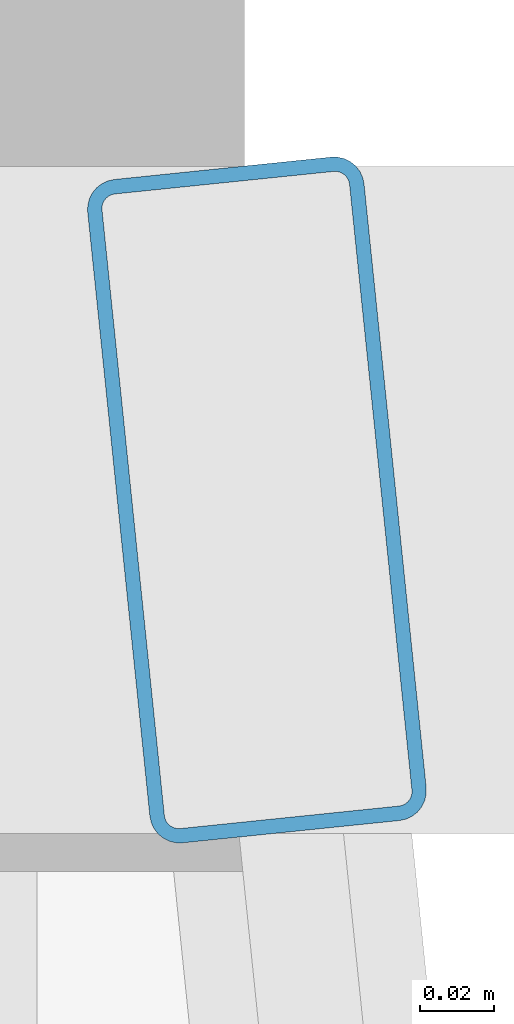
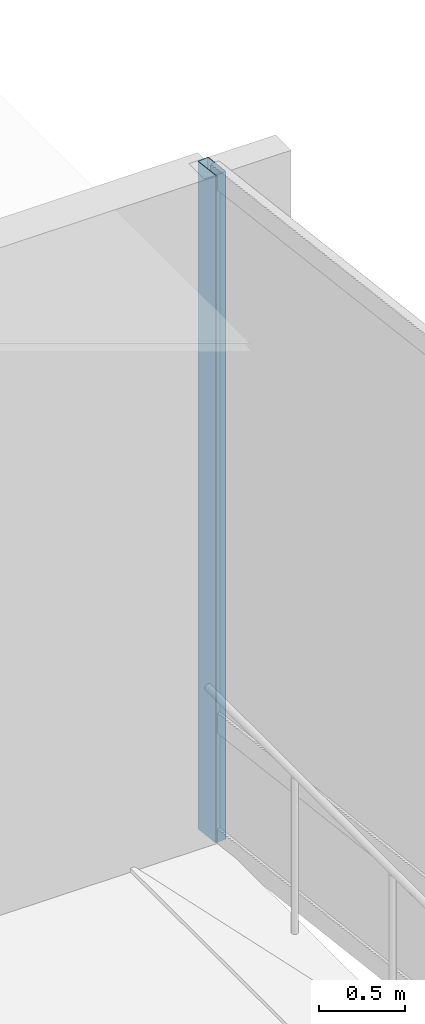
# One storey, part 18 of 39: 1 member, 1 element without a shape of its own.
"""IFC4 building model written with IfcOpenShell, lengths in metres."""

import ifcopenshell
import ifcopenshell.guid

model = None  # the IFC model being written
_history = None  # IfcOwnerHistory: only IFC2X3 demands one
_inside = {}  # id of a spatial element -> (the spatial element, [elements in it])
_under = {}  # id of a project, library or spatial element -> (it, [spatial elements below it])
_declared = {}  # id of a project -> (the project, [libraries it declares])
_typed = {}  # id of a type object -> (the type object, [elements of that type])
_made_of = {}  # id of a material, layer set ... -> (it, [elements and type objects made of it])


def new_model(schema):
    """Start an empty IFC model of exactly this schema.

    Asked for "IFC4X3", IfcOpenShell would pick the latest addendum, in which some entities
    have other attributes; the version numbers below select the first issue.
    IFC2X3 requires an IfcOwnerHistory on every rooted entity: one is made here for all.
    """
    global model, _history
    if schema == "IFC4X3":
        model = ifcopenshell.file(schema_version=(4, 3, 0, 0))
    else:
        model = ifcopenshell.file(schema=schema)
    _inside.clear()
    _under.clear()
    _declared.clear()
    _typed.clear()
    _made_of.clear()
    _history = None
    if model.schema == "IFC2X3":
        org = make("IfcOrganization", Name="unknown")
        user = make(
            "IfcPersonAndOrganization",
            ThePerson=make("IfcPerson", FamilyName="unknown"),
            TheOrganization=org,
        )
        app = make(
            "IfcApplication",
            ApplicationDeveloper=org,
            Version="unknown",
            ApplicationFullName="unknown",
            ApplicationIdentifier="unknown",
        )
        _history = make(
            "IfcOwnerHistory",
            OwningUser=user,
            OwningApplication=app,
            ChangeAction="ADDED",
            CreationDate=0,
        )
    return model


def make(cls, **values):
    """One entity of the class cls with the attributes given. An attribute that is None is left unset."""
    return model.create_entity(
        cls, **{name: value for name, value in values.items() if value is not None}
    )


def rooted(cls, **values):
    """An entity with a GlobalId (a new one), such as an element, a storey or a relation."""
    return make(cls, GlobalId=ifcopenshell.guid.new(), OwnerHistory=_history, **values)


def si_unit(unit_type, name, prefix=None):
    """IfcSIUnit, for example si_unit("LENGTHUNIT", "METRE", prefix="MILLI")."""
    return make("IfcSIUnit", UnitType=unit_type, Prefix=prefix, Name=name)


def assignment(units):
    """IfcUnitAssignment: the units of a project."""
    return None if units is None else make("IfcUnitAssignment", Units=units)


def point(xyz):
    """IfcCartesianPoint."""
    return None if xyz is None else make("IfcCartesianPoint", Coordinates=xyz)


def direction(xyz):
    """IfcDirection."""
    return None if xyz is None else make("IfcDirection", DirectionRatios=xyz)


def frame(location, z_axis=None, x_axis=None):
    """IfcAxis2Placement3D, a coordinate frame: its origin and axes. An axis left out is left unset."""
    return make(
        "IfcAxis2Placement3D",
        Location=point(location),
        Axis=direction(z_axis),
        RefDirection=direction(x_axis),
    )


def frame_2d(location, x_axis=None):
    """IfcAxis2Placement2D, a coordinate frame in the plane: its origin and x axis."""
    return make(
        "IfcAxis2Placement2D", Location=point(location), RefDirection=direction(x_axis)
    )


def origin():
    """The frame at (0, 0, 0) with its axes left unset."""
    return frame((0.0, 0.0, 0.0))


def origin_2d():
    """The frame at (0, 0) in the plane with its x axis left unset."""
    return frame_2d((0.0, 0.0))


def place(relative_to, where):
    """IfcLocalPlacement: puts the frame where relative to a parent placement (None: the world)."""
    return make(
        "IfcLocalPlacement", PlacementRelTo=relative_to, RelativePlacement=where
    )


def context(
    kind, dimensions, precision=None, world=None, true_north=None, identifier=None
):
    """IfcGeometricRepresentationContext, for example the 3D "Model" context."""
    return make(
        "IfcGeometricRepresentationContext",
        ContextIdentifier=identifier,
        ContextType=kind,
        CoordinateSpaceDimension=dimensions,
        Precision=precision,
        WorldCoordinateSystem=world,
        TrueNorth=true_north,
    )


def subcontext(parent, identifier, kind, view, scale=None):
    """IfcGeometricRepresentationSubContext, for example "Body" below "Model"."""
    return make(
        "IfcGeometricRepresentationSubContext",
        ContextIdentifier=identifier,
        ContextType=kind,
        ParentContext=parent,
        TargetScale=scale,
        TargetView=view,
    )


def project(units=None, contexts=None):
    """IfcProject with its units and contexts."""
    return rooted(
        "IfcProject",
        Name="project",
        RepresentationContexts=contexts,
        UnitsInContext=assignment(units),
    )


def spatial(cls, under=None, at=None, **own):
    """A site, building, storey or space (cls), placed at a placement, below another one or the project."""
    s = rooted(cls, ObjectPlacement=at, **own)
    if under is not None:
        _under.setdefault(under.id(), (under, []))[1].append(s)
    return s


def profile(cls, at=None, kind="AREA", **sizes):
    """A parametric profile (cls). Its sizes go by their IFC names, for example OverallWidth=200.0."""
    return make(cls, ProfileType=kind, Position=at, **sizes)


def hollow_rectangle(**sizes):
    """IfcRectangleHollowProfileDef."""
    return profile("IfcRectangleHollowProfileDef", **sizes)


def extrude(swept, where, along, depth):
    """IfcExtrudedAreaSolid: the profile swept, set in the frame where, extruded along a direction by depth."""
    return make(
        "IfcExtrudedAreaSolid",
        SweptArea=swept,
        Position=where,
        ExtrudedDirection=direction(along),
        Depth=depth,
    )


def shape(context_of_items, identifier, shape_type, items):
    """IfcShapeRepresentation: the items that make up one representation, for example the "Body"."""
    return make(
        "IfcShapeRepresentation",
        ContextOfItems=context_of_items,
        RepresentationIdentifier=identifier,
        RepresentationType=shape_type,
        Items=items,
    )


def material(Name=None, Category=None):
    """IfcMaterial."""
    return make("IfcMaterial", Name=Name, Category=Category)


def layer(
    of_material, thickness, ventilated=None, Name=None, Category=None, Priority=None
):
    """IfcMaterialLayer: one layer of a wall or slab, of a material (None: an air gap)."""
    return make(
        "IfcMaterialLayer",
        Material=of_material,
        LayerThickness=thickness,
        IsVentilated=ventilated,
        Name=Name,
        Category=Category,
        Priority=Priority,
    )


def layer_set(layers, Name=None):
    """IfcMaterialLayerSet."""
    return make("IfcMaterialLayerSet", MaterialLayers=layers, LayerSetName=Name)


def material_profile(
    of_material, cross_section, Name=None, Category=None, Priority=None
):
    """IfcMaterialProfile: a cross section and its material."""
    return make(
        "IfcMaterialProfile",
        Name=Name,
        Material=of_material,
        Profile=cross_section,
        Priority=Priority,
        Category=Category,
    )


def profile_set(profiles, Name=None, composite=None):
    """IfcMaterialProfileSet."""
    return make(
        "IfcMaterialProfileSet",
        Name=Name,
        MaterialProfiles=profiles,
        CompositeProfile=composite,
    )


def made_of(thing, what):
    """Note that an element or type object is made of a material, layer set ...; save() writes the relation."""
    if what is not None:
        _made_of.setdefault(what.id(), (what, []))[1].append(thing)
    return thing


def type_object(cls, material=None, **own):
    """A type object (cls), such as IfcWallType, which elements share."""
    return made_of(rooted(cls, **own), material)


def element(
    cls,
    number,
    at=None,
    inside=None,
    cuts=None,
    type_object=None,
    material=None,
    context=None,
    identifier="Body",
    shape_type=None,
    held_by="IfcProductDefinitionShape",
    body=None,
    shapes=None,
    **own,
):
    """One element of the class cls, such as IfcWall. Its Tag is "e" and its number.

    at: its placement. inside: the storey or other place that contains it. cuts: it is an
    opening in that element (IfcRelVoidsElement). A single representation is given by context,
    identifier, shape_type and body (its items); several are given by shapes. held_by: the class
    of the entity that holds the representations. save() writes the other relations.
    """
    e = rooted(cls, Tag="e%d" % number, ObjectPlacement=at, **own)
    if body is not None:
        shapes = [shape(context, identifier, shape_type, body)]
    if shapes is not None:
        e.Representation = make(held_by, Representations=shapes)
    if inside is not None:
        _inside.setdefault(inside.id(), (inside, []))[1].append(e)
    if cuts is not None:
        rooted(
            "IfcRelVoidsElement", RelatingBuildingElement=cuts, RelatedOpeningElement=e
        )
    if type_object is not None:
        _typed.setdefault(type_object.id(), (type_object, []))[1].append(e)
    return made_of(e, material)


def aggregate(whole, parts):
    """IfcRelAggregates: a whole, such as a stair, and the parts it consists of."""
    return rooted("IfcRelAggregates", RelatingObject=whole, RelatedObjects=parts)


def save(model, path):
    """Write the relations noted so far, then the file.

    IfcRelAggregates (storeys below a building ...), IfcRelContainedInSpatialStructure (elements
    in a storey), IfcRelDefinesByType, IfcRelAssociatesMaterial and IfcRelDeclares: one each for
    every whole, place, type object, material and project.
    """
    for whole, parts in _under.values():
        aggregate(whole, parts)
    for where, things in _inside.values():
        rooted(
            "IfcRelContainedInSpatialStructure",
            RelatedElements=things,
            RelatingStructure=where,
        )
    for kind, things in _typed.values():
        rooted("IfcRelDefinesByType", RelatedObjects=things, RelatingType=kind)
    for what, things in _made_of.values():
        rooted("IfcRelAssociatesMaterial", RelatedObjects=things, RelatingMaterial=what)
    for by, libraries in _declared.values():
        rooted("IfcRelDeclares", RelatingContext=by, RelatedDefinitions=libraries)
    model.write(path)


model = new_model("IFC4")

# Units and contexts
model_context = context("Model", 3, precision=1e-05, world=origin(), true_north=direction((0.0, 1.0)))
body_context = subcontext(model_context, "Body", "Model", "MODEL_VIEW")
ifc_project = project(units=[si_unit("LENGTHUNIT", "METRE"), si_unit("AREAUNIT", "SQUARE_METRE"), si_unit("VOLUMEUNIT", "CUBIC_METRE"), si_unit("PLANEANGLEUNIT", "RADIAN"), si_unit("MASSUNIT", "GRAM", prefix="KILO")], contexts=[model_context])

# Site, building, storey
site_placement = place(None, origin())
site = spatial("IfcSite", under=ifc_project, at=site_placement, CompositionType="ELEMENT")
building_placement = place(site_placement, origin())
building = spatial("IfcBuilding", under=site, at=building_placement, Name="Solvaryn Broadcast Tower", CompositionType="ELEMENT")
storey_placement = place(building_placement, frame((0.0, 0.0, 84.10009765625)))
storey = spatial("IfcBuildingStorey", under=building, at=storey_placement, Name="L20", CompositionType="ELEMENT", Elevation=84.10009765625)

# Curtain wall, member
ifc_material_1 = material(Name="Aluminium and Terracotta Unitised Curtain Wall", Category="masonry")
ifc_layer = layer(ifc_material_1, 0.25)
ifc_layer_set = layer_set([ifc_layer], Name="CW-SYS4-SKYGARDEN")
curtain_wall_type = type_object("IfcCurtainWallType", Name="CW-SYS4-SKYGARDEN", PredefinedType="NOTDEFINED", material=ifc_layer_set)
curtain_wall_placement = place(storey_placement, origin())
curtain_wall = element("IfcCurtainWall", 1, at=curtain_wall_placement, inside=storey, type_object=curtain_wall_type, Name="L20 Curtain Wall ET1", PredefinedType="NOTDEFINED")
ifc_material_2 = material(Name="Anodised Aluminium 6063-T6", Category="aluminium")
ifc_material_profile = material_profile(ifc_material_2, hollow_rectangle(XDim=0.074951171875, YDim=0.179931640625, WallThickness=0.00390625, InnerFilletRadius=0.00390625, OuterFilletRadius=0.008056640625, at=origin_2d()))
ifc_profile_set = profile_set([ifc_material_profile], Name="Anodised Aluminium 6063-T6")
member_type = type_object("IfcMemberType", Name="CW-MUL-180", PredefinedType="MULLION", material=ifc_profile_set)
member_placement = place(storey_placement, frame((63.003173828125, 24.770263671875, 0.0), z_axis=(0.0, 0.0, 1.0), x_axis=(0.99474329889, 0.10240004548, 0.0)))
member = element("IfcMember", 2, at=member_placement, type_object=member_type, Name="CWS4 mullion 1", PredefinedType="MULLION", context=body_context, shape_type="SweptSolid", body=[
    extrude(hollow_rectangle(XDim=0.074951171875, YDim=0.179931640625, WallThickness=0.00390625, InnerFilletRadius=0.00390625, OuterFilletRadius=0.008056640625, at=origin_2d()), origin(), (0.0, 0.0, 1.0), 4.719970703125),
])
aggregate(curtain_wall, [member])

save(model, "model.ifc")
